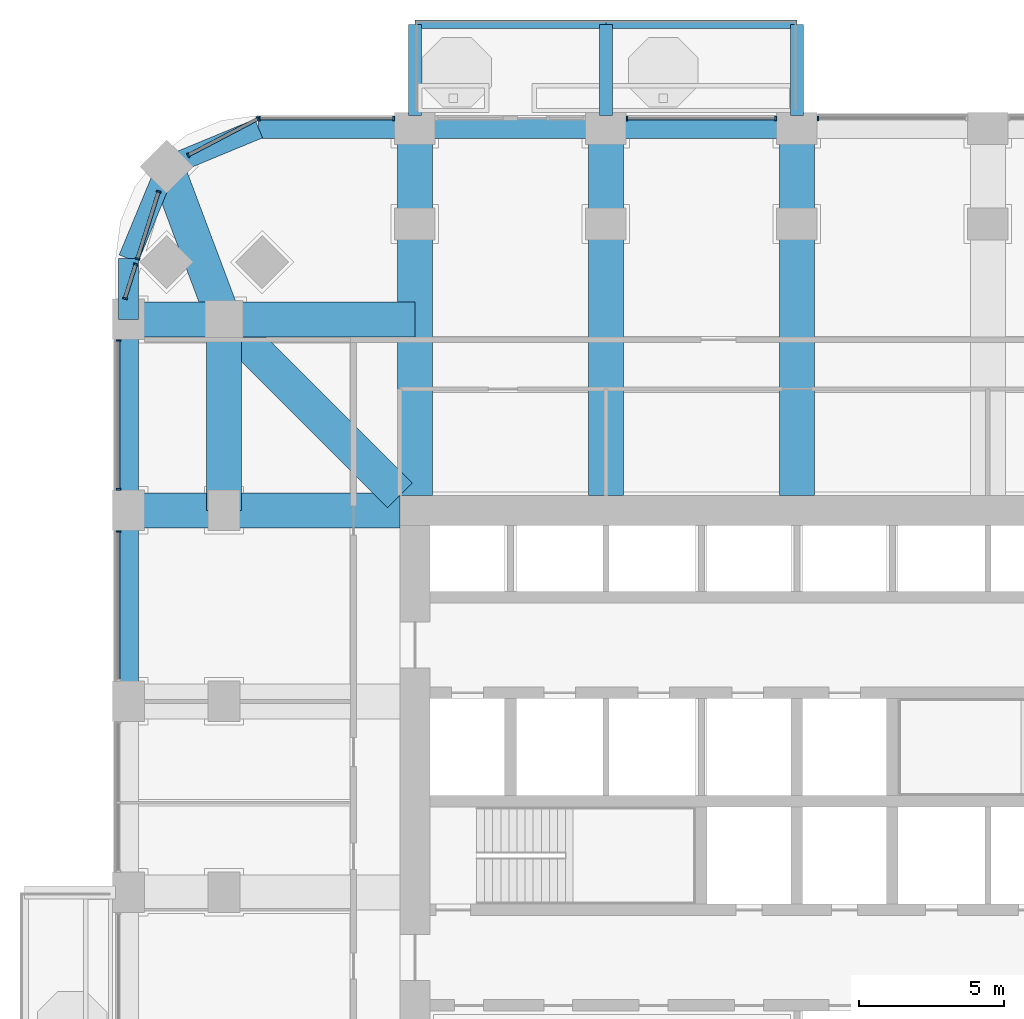
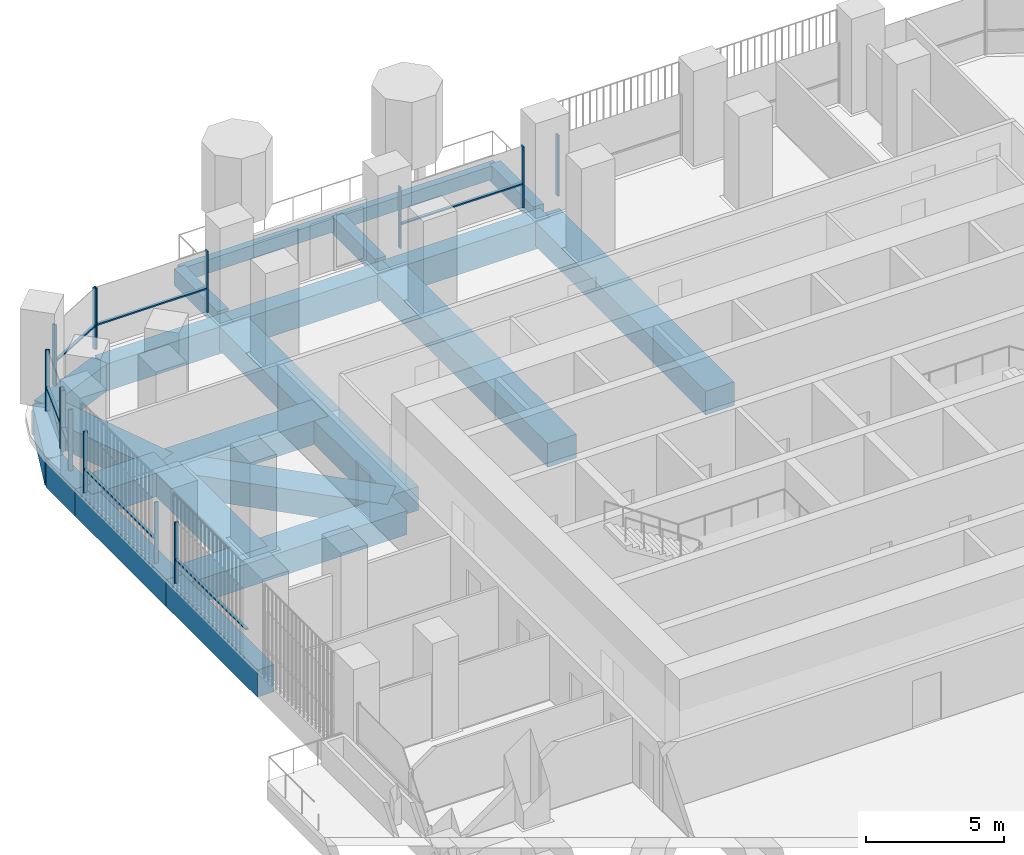
# One storey, part 6 of 21: 22 beams, 21 members, 8 elements without a shape of their own.
"""IFC4 building model written with IfcOpenShell, lengths in metres."""

from ifc_helpers import new_model, si_unit, direction, frame, origin, origin_2d, place, context, subcontext, project, spatial, rectangle, extrude, material, material_profile, profile_set, type_object, element, aggregate, save


model = new_model("IFC4")

# Units and contexts
model_context = context("Model", 3, precision=1e-05, world=origin(), true_north=direction((0.0, 1.0)))
body_context = subcontext(model_context, "Body", "Model", "MODEL_VIEW")
ifc_project = project(units=[si_unit("LENGTHUNIT", "METRE"), si_unit("AREAUNIT", "SQUARE_METRE"), si_unit("VOLUMEUNIT", "CUBIC_METRE"), si_unit("PLANEANGLEUNIT", "RADIAN"), si_unit("MASSUNIT", "GRAM", prefix="KILO")], contexts=[model_context])

# Site, building, storey
site_placement = place(None, origin())
site = spatial("IfcSite", under=ifc_project, at=site_placement, CompositionType="ELEMENT")
building_placement = place(site_placement, origin())
building = spatial("IfcBuilding", under=site, at=building_placement, Name="Cobogo Forest Laboratory Tower", CompositionType="ELEMENT")
storey_placement = place(building_placement, frame((0.0, 0.0, 124.199951171875)))
storey = spatial("IfcBuildingStorey", under=building, at=storey_placement, Name="L28", CompositionType="ELEMENT", Elevation=124.199951171875)

# Beams
ifc_material_1 = material(Name="Concrete HA-40 (C40/50)", Category="concrete")
ifc_material_profile_1 = material_profile(ifc_material_1, rectangle(XDim=0.449951171875, YDim=0.75, at=origin_2d()), Name="RC 450x750")
ifc_profile_set_1 = profile_set([ifc_material_profile_1], Name="Concrete HA-40 (C40/50)")
beam_type_1 = type_object("IfcBeamType", Name="Balcony cantilever beam 450x750", PredefinedType="BEAM", material=ifc_profile_set_1)
for number, where, z_axis, x_axis, name in (
    (1, (13.199951171875, 46.64990234375, -0.625), (0.0, 1.0, 0.0), (-1.0, 0.0, 0.0), "CB1 BAL-N1-C1 L28"),
    (2, (19.800048828125, 46.64990234375, -0.625), (0.0, 1.0, 0.0), (-1.0, 0.0, 0.0), "CB1 BAL-N1-C2 L28"),
    (3, (26.39990234375, 46.64990234375, -0.625), (0.0, 1.0, 0.0), (-1.0, 0.0, 0.0), "CB1 BAL-N1-C3 L28"),
):
    element("IfcBeam", number, at=place(storey_placement, frame(where, z_axis=z_axis, x_axis=x_axis)), inside=storey, type_object=beam_type_1, Name=name, PredefinedType="BEAM", context=body_context, shape_type="SweptSolid", body=[
        extrude(rectangle(XDim=0.449951171875, YDim=0.75, at=origin_2d()), origin(), (0.0, 0.0, 1.0), 3.150146484375),
    ])
ifc_material_profile_2 = material_profile(ifc_material_1, rectangle(XDim=0.300048828125, YDim=0.60009765625, at=origin_2d()), Name="RC 300x600")
ifc_profile_set_2 = profile_set([ifc_material_profile_2], Name="Concrete HA-40 (C40/50)")
beam_type_2 = type_object("IfcBeamType", Name="Balcony edge beam 300x600", PredefinedType="BEAM", material=ifc_profile_set_2)
beam_1_placement = place(storey_placement, frame((13.199951171875, 49.800048828125, -0.550048828125), z_axis=(1.0, 0.0, 0.0), x_axis=(0.0, 1.0, 0.0)))
element("IfcBeam", 4, at=beam_1_placement, inside=storey, type_object=beam_type_2, Name="BB1 BAL-N1-T1 L28", PredefinedType="BEAM", context=body_context, shape_type="SweptSolid", body=[
    extrude(rectangle(XDim=0.300048828125, YDim=0.60009765625, at=origin_2d()), origin(), (0.0, 0.0, 1.0), 6.60009765625),
])
beam_2_placement = place(storey_placement, frame((19.800048828125, 49.800048828125, -0.550048828125), z_axis=(1.0, 0.0, 0.0), x_axis=(0.0, 1.0, 0.0)))
element("IfcBeam", 5, at=beam_2_placement, inside=storey, type_object=beam_type_2, Name="BB1 BAL-N1-T2 L28", PredefinedType="BEAM", context=body_context, shape_type="SweptSolid", body=[
    extrude(rectangle(XDim=0.300048828125, YDim=0.60009765625, at=origin_2d()), origin(), (0.0, 0.0, 1.0), 6.599853515625),
])
ifc_material_profile_3 = material_profile(ifc_material_1, rectangle(XDim=1.199951171875, YDim=1.050048828125, at=origin_2d()), Name="RC 1200x1050")
ifc_profile_set_3 = profile_set([ifc_material_profile_3], Name="Concrete HA-40 (C40/50)")
beam_type_3 = type_object("IfcBeamType", Name="Laboratory floor wide beam 1200x1050", PredefinedType="BEAM", material=ifc_profile_set_3)
for number, where, z_axis, x_axis, name in (
    (6, (13.199951171875, 33.52490234375, -0.824951171875), (0.0, 1.0, 0.0), (-1.0, 0.0, 0.0), "RB1 R-3-N L28"),
    (7, (19.800048828125, 33.52490234375, -0.824951171875), (0.0, 1.0, 0.0), (-1.0, 0.0, 0.0), "RB1 R-4-N L28"),
    (8, (26.39990234375, 33.52490234375, -0.824951171875), (0.0, 1.0, 0.0), (-1.0, 0.0, 0.0), "RB1 R-5-N L28"),
):
    element("IfcBeam", number, at=place(storey_placement, frame(where, z_axis=z_axis, x_axis=x_axis)), inside=storey, type_object=beam_type_3, Name=name, PredefinedType="BEAM", context=body_context, shape_type="SweptSolid", body=[
        extrude(rectangle(XDim=1.199951171875, YDim=1.050048828125, at=origin_2d()), origin(), (0.0, 0.0, 1.0), 12.675048828125),
    ])
beam_3_placement = place(storey_placement, frame((12.675048828125, 33.0, -0.824951171875), z_axis=(-1.0, 0.0, 0.0), x_axis=(0.0, -1.0, 0.0)))
element("IfcBeam", 9, at=beam_3_placement, inside=storey, type_object=beam_type_3, Name="RB1 R-F-W L28", PredefinedType="BEAM", context=body_context, shape_type="SweptSolid", body=[
    extrude(rectangle(XDim=1.199951171875, YDim=1.050048828125, at=origin_2d()), origin(), (0.0, 0.0, 1.0), 9.375),
])
beam_4_placement = place(storey_placement, frame((6.60009765625, 39.60009765625, -0.824951171875), z_axis=(0.0, -1.0, 0.0), x_axis=(1.0, 0.0, 0.0)))
element("IfcBeam", 10, at=beam_4_placement, inside=storey, type_object=beam_type_3, Name="RB1 G-NW-XC L28", PredefinedType="BEAM", context=body_context, shape_type="SweptSolid", body=[
    extrude(rectangle(XDim=1.199951171875, YDim=1.050048828125, at=origin_2d()), origin(), (0.0, 0.0, 1.0), 6.60009765625),
])
beam_5_placement = place(storey_placement, frame((3.300048828125, 39.60009765625, -0.824951171875), z_axis=(1.0, 0.0, 0.0), x_axis=(0.0, 1.0, 0.0)))
element("IfcBeam", 11, at=beam_5_placement, inside=storey, type_object=beam_type_3, Name="RB1 G-NW-YF L28", PredefinedType="BEAM", context=body_context, shape_type="SweptSolid", body=[
    extrude(rectangle(XDim=1.199951171875, YDim=1.050048828125, at=origin_2d()), origin(), (0.0, 0.0, 1.0), 3.300048828125),
])
beam_6_placement = place(storey_placement, frame((6.60009765625, 39.60009765625, -0.824951171875), z_axis=(1.0, 0.0, 0.0), x_axis=(0.0, 1.0, 0.0)))
element("IfcBeam", 12, at=beam_6_placement, inside=storey, type_object=beam_type_3, Name="RB1 G-NW-YC L28", PredefinedType="BEAM", context=body_context, shape_type="SweptSolid", body=[
    extrude(rectangle(XDim=1.199951171875, YDim=1.050048828125, at=origin_2d()), origin(), (0.0, 0.0, 1.0), 6.599853515625),
])
beam_7_placement = place(storey_placement, frame((4.617919921875, 44.882080078125, -0.824951171875), z_axis=(0.351346325373, -0.936245565889, 0.0), x_axis=(0.936245565889, 0.351346325373, 0.0)))
element("IfcBeam", 13, at=beam_7_placement, inside=storey, type_object=beam_type_3, Name="RB1 G-NW-D1 L28", PredefinedType="BEAM", context=body_context, shape_type="SweptSolid", body=[
    extrude(rectangle(XDim=1.199951171875, YDim=1.050048828125, at=origin_2d()), origin(), (0.0, 0.0, 1.0), 5.6416015625),
])
beam_8_placement = place(storey_placement, frame((6.60009765625, 39.60009765625, -0.824951171875), z_axis=(0.707092572697, -0.70712098939, 0.0), x_axis=(0.70712098939, 0.707092572697, 0.0)))
element("IfcBeam", 14, at=beam_8_placement, inside=storey, type_object=beam_type_3, Name="RB1 G-NW-D2 L28", PredefinedType="BEAM", context=body_context, shape_type="SweptSolid", body=[
    extrude(rectangle(XDim=1.199951171875, YDim=1.050048828125, at=origin_2d()), origin(), (0.0, 0.0, 1.0), 8.591552734375),
])

# Curtain wall, member
ifc_material_2 = material(Name="Aluminium curtain wall", Category="aluminium")
curtain_wall_type = type_object("IfcCurtainWallType", Name="CW-1 unitised curtain wall, clear glazing, laboratory floors zones A and B", PredefinedType="USERDEFINED", material=ifc_material_2)
curtain_wall_1_placement = place(storey_placement, origin())
curtain_wall_1 = element("IfcCurtainWall", 15, at=curtain_wall_1_placement, inside=storey, type_object=curtain_wall_type, Name="Curtain wall 20 L28", ObjectType="UNITISED CURTAIN WALL", PredefinedType="USERDEFINED")
ifc_material_3 = material(Name="Aluminium mullion", Category="aluminium")
ifc_material_profile_4 = material_profile(ifc_material_3, rectangle(XDim=0.06005859375, YDim=0.159912109375, at=origin_2d()), Name="AL 60x160")
ifc_profile_set_4 = profile_set([ifc_material_profile_4], Name="Aluminium mullion")
member_type_1 = type_object("IfcMemberType", Name="MU-1 aluminium mullion 60x160", PredefinedType="MULLION", material=ifc_profile_set_4)
member_1_placement = place(storey_placement, frame((27.1298828125, 46.550048828125, 0.0), z_axis=(0.0, 0.0, 1.0), x_axis=(-1.0, 0.0, 0.0)))
member_1 = element("IfcMember", 16, at=member_1_placement, type_object=member_type_1, Name="CW-1 mullion 2", PredefinedType="MULLION", context=body_context, shape_type="SweptSolid", body=[
    extrude(rectangle(XDim=0.06005859375, YDim=0.159912109375, at=origin_2d()), origin(), (0.0, 0.0, 1.0), 2.699951171875),
])
aggregate(curtain_wall_1, [member_1])

# Curtain wall, members
curtain_wall_2_placement = place(storey_placement, origin())
curtain_wall_2 = element("IfcCurtainWall", 17, at=curtain_wall_2_placement, inside=storey, type_object=curtain_wall_type, Name="Curtain wall 21 L28", ObjectType="UNITISED CURTAIN WALL", PredefinedType="USERDEFINED")
member_2_placement = place(storey_placement, frame((25.669921875, 46.550048828125, 0.0), z_axis=(0.0, 0.0, 1.0), x_axis=(-1.0, 0.0, 0.0)))
member_2 = element("IfcMember", 18, at=member_2_placement, type_object=member_type_1, Name="CW-1 mullion 1", PredefinedType="MULLION", context=body_context, shape_type="SweptSolid", body=[
    extrude(rectangle(XDim=0.06005859375, YDim=0.159912109375, at=origin_2d()), origin(), (0.0, 0.0, 1.0), 2.699951171875),
])
member_3_placement = place(storey_placement, frame((20.530029296875, 46.550048828125, 0.0), z_axis=(0.0, 0.0, 1.0), x_axis=(-1.0, 0.0, 0.0)))
member_3 = element("IfcMember", 19, at=member_3_placement, type_object=member_type_1, Name="CW-1 mullion 2", PredefinedType="MULLION", context=body_context, shape_type="SweptSolid", body=[
    extrude(rectangle(XDim=0.06005859375, YDim=0.159912109375, at=origin_2d()), origin(), (0.0, 0.0, 1.0), 2.699951171875),
])

curtain_wall_3_placement = place(storey_placement, origin())
curtain_wall_3 = element("IfcCurtainWall", 20, at=curtain_wall_3_placement, inside=storey, type_object=curtain_wall_type, Name="Curtain wall 23 L28", ObjectType="UNITISED CURTAIN WALL", PredefinedType="USERDEFINED")
member_4_placement = place(storey_placement, frame((12.469970703125, 46.550048828125, 0.0), z_axis=(0.0, 0.0, 1.0), x_axis=(-1.0, 0.0, 0.0)))
member_4 = element("IfcMember", 21, at=member_4_placement, type_object=member_type_1, Name="CW-1 mullion 1", PredefinedType="MULLION", context=body_context, shape_type="SweptSolid", body=[
    extrude(rectangle(XDim=0.06005859375, YDim=0.159912109375, at=origin_2d()), origin(), (0.0, 0.0, 1.0), 2.699951171875),
])
member_5_placement = place(storey_placement, frame((7.830078125, 46.550048828125, 0.0), z_axis=(0.0, 0.0, 1.0), x_axis=(-1.0, 0.0, 0.0)))
member_5 = element("IfcMember", 22, at=member_5_placement, type_object=member_type_1, Name="CW-1 mullion 2", PredefinedType="MULLION", context=body_context, shape_type="SweptSolid", body=[
    extrude(rectangle(XDim=0.06005859375, YDim=0.159912109375, at=origin_2d()), origin(), (0.0, 0.0, 1.0), 2.699951171875),
])

curtain_wall_4_placement = place(storey_placement, origin())
curtain_wall_4 = element("IfcCurtainWall", 23, at=curtain_wall_4_placement, inside=storey, type_object=curtain_wall_type, Name="Curtain wall 24 L28", ObjectType="UNITISED CURTAIN WALL", PredefinedType="USERDEFINED")
member_6_placement = place(storey_placement, frame((7.7734375, 46.5361328125, 0.0), z_axis=(0.0, 0.0, 1.0), x_axis=(-0.885686547075, -0.464283685186, 0.0)))
member_6 = element("IfcMember", 24, at=member_6_placement, type_object=member_type_1, Name="CW-1 mullion 1", PredefinedType="MULLION", context=body_context, shape_type="SweptSolid", body=[
    extrude(rectangle(XDim=0.06005859375, YDim=0.159912109375, at=origin_2d()), origin(), (0.0, 0.0, 1.0), 2.699951171875),
])
member_7_placement = place(storey_placement, frame((5.368408203125, 45.275390625, 0.0), z_axis=(0.0, 0.0, 1.0), x_axis=(-0.885686547075, -0.464283685186, 0.0)))
member_7 = element("IfcMember", 25, at=member_7_placement, type_object=member_type_1, Name="CW-1 mullion 2", PredefinedType="MULLION", context=body_context, shape_type="SweptSolid", body=[
    extrude(rectangle(XDim=0.06005859375, YDim=0.159912109375, at=origin_2d()), origin(), (0.0, 0.0, 1.0), 2.699951171875),
])

curtain_wall_5_placement = place(storey_placement, origin())
curtain_wall_5 = element("IfcCurtainWall", 26, at=curtain_wall_5_placement, inside=storey, type_object=curtain_wall_type, Name="Curtain wall 25 L28", ObjectType="UNITISED CURTAIN WALL", PredefinedType="USERDEFINED")
member_8_placement = place(storey_placement, frame((4.34423828125, 44.01513671875, 0.0), z_axis=(0.0, 0.0, 1.0), x_axis=(-0.301135291996, -0.953581425949, 0.0)))
member_8 = element("IfcMember", 27, at=member_8_placement, type_object=member_type_1, Name="CW-1 mullion 1", PredefinedType="MULLION", context=body_context, shape_type="SweptSolid", body=[
    extrude(rectangle(XDim=0.06005859375, YDim=0.159912109375, at=origin_2d()), origin(), (0.0, 0.0, 1.0), 2.699951171875),
])
member_9_placement = place(storey_placement, frame((3.613037109375, 41.69970703125, 0.0), z_axis=(0.0, 0.0, 1.0), x_axis=(-0.301135291996, -0.953581425949, 0.0)))
member_9 = element("IfcMember", 28, at=member_9_placement, type_object=member_type_1, Name="CW-1 mullion 2", PredefinedType="MULLION", context=body_context, shape_type="SweptSolid", body=[
    extrude(rectangle(XDim=0.06005859375, YDim=0.159912109375, at=origin_2d()), origin(), (0.0, 0.0, 1.0), 2.699951171875),
])

curtain_wall_6_placement = place(storey_placement, origin())
curtain_wall_6 = element("IfcCurtainWall", 29, at=curtain_wall_6_placement, inside=storey, type_object=curtain_wall_type, Name="Curtain wall 26 L28", ObjectType="UNITISED CURTAIN WALL", PredefinedType="USERDEFINED")
member_10_placement = place(storey_placement, frame((3.55224609375, 41.507080078125, 0.0), z_axis=(0.0, 0.0, 1.0), x_axis=(-0.301135356805, -0.953581405483, 0.0)))
member_10 = element("IfcMember", 30, at=member_10_placement, type_object=member_type_1, Name="CW-1 mullion 1", PredefinedType="MULLION", context=body_context, shape_type="SweptSolid", body=[
    extrude(rectangle(XDim=0.06005859375, YDim=0.159912109375, at=origin_2d()), origin(), (0.0, 0.0, 1.0), 2.699951171875),
])
member_11_placement = place(storey_placement, frame((3.18017578125, 40.32861328125, 0.0), z_axis=(0.0, 0.0, 1.0), x_axis=(-0.301135356805, -0.953581405483, 0.0)))
member_11 = element("IfcMember", 31, at=member_11_placement, type_object=member_type_1, Name="CW-1 mullion 2", PredefinedType="MULLION", context=body_context, shape_type="SweptSolid", body=[
    extrude(rectangle(XDim=0.06005859375, YDim=0.159912109375, at=origin_2d()), origin(), (0.0, 0.0, 1.0), 2.699951171875),
])

curtain_wall_7_placement = place(storey_placement, origin())
curtain_wall_7 = element("IfcCurtainWall", 32, at=curtain_wall_7_placement, inside=storey, type_object=curtain_wall_type, Name="Curtain wall 27 L28", ObjectType="UNITISED CURTAIN WALL", PredefinedType="USERDEFINED")
member_12_placement = place(storey_placement, frame((2.949951171875, 38.8701171875, 0.0), z_axis=(0.0, 0.0, 1.0), x_axis=(0.0, -1.0, 0.0)))
member_12 = element("IfcMember", 33, at=member_12_placement, type_object=member_type_1, Name="CW-1 mullion 1", PredefinedType="MULLION", context=body_context, shape_type="SweptSolid", body=[
    extrude(rectangle(XDim=0.06005859375, YDim=0.159912109375, at=origin_2d()), origin(), (0.0, 0.0, 1.0), 2.699951171875),
])
member_13_placement = place(storey_placement, frame((2.949951171875, 33.72998046875, 0.0), z_axis=(0.0, 0.0, 1.0), x_axis=(0.0, -1.0, 0.0)))
member_13 = element("IfcMember", 34, at=member_13_placement, type_object=member_type_1, Name="CW-1 mullion 2", PredefinedType="MULLION", context=body_context, shape_type="SweptSolid", body=[
    extrude(rectangle(XDim=0.06005859375, YDim=0.159912109375, at=origin_2d()), origin(), (0.0, 0.0, 1.0), 2.699951171875),
])

# Curtain wall, member
curtain_wall_8_placement = place(storey_placement, origin())
curtain_wall_8 = element("IfcCurtainWall", 35, at=curtain_wall_8_placement, inside=storey, type_object=curtain_wall_type, Name="Curtain wall 28 L28", ObjectType="UNITISED CURTAIN WALL", PredefinedType="USERDEFINED")
member_14_placement = place(storey_placement, frame((2.949951171875, 32.27001953125, 0.0), z_axis=(0.0, 0.0, 1.0), x_axis=(0.0, -1.0, 0.0)))
member_14 = element("IfcMember", 36, at=member_14_placement, type_object=member_type_1, Name="CW-1 mullion 1", PredefinedType="MULLION", context=body_context, shape_type="SweptSolid", body=[
    extrude(rectangle(XDim=0.06005859375, YDim=0.159912109375, at=origin_2d()), origin(), (0.0, 0.0, 1.0), 2.699951171875),
])

# Beams
ifc_material_profile_5 = material_profile(ifc_material_1, rectangle(XDim=0.699951171875, YDim=1.199951171875, at=origin_2d()), Name="RC 700x1200")
ifc_profile_set_5 = profile_set([ifc_material_profile_5], Name="Concrete HA-40 (C40/50)")
beam_type_4 = type_object("IfcBeamType", Name="Perimeter edge beam 700x1200", PredefinedType="BEAM", material=ifc_profile_set_5)
beam_9_placement = place(storey_placement, frame((13.199951171875, 46.199951171875, -0.89990234375), z_axis=(1.0, 0.0, 0.0), x_axis=(0.0, 1.0, 0.0)))
element("IfcBeam", 37, at=beam_9_placement, inside=storey, type_object=beam_type_4, Name="EB1 E-N1 L28", PredefinedType="BEAM", context=body_context, shape_type="SweptSolid", body=[
    extrude(rectangle(XDim=0.699951171875, YDim=1.199951171875, at=origin_2d()), origin(), (0.0, 0.0, 1.0), 6.60009765625),
])
beam_10_placement = place(storey_placement, frame((19.800048828125, 46.199951171875, -0.89990234375), z_axis=(1.0, 0.0, 0.0), x_axis=(0.0, 1.0, 0.0)))
element("IfcBeam", 38, at=beam_10_placement, inside=storey, type_object=beam_type_4, Name="EB1 E-N2 L28", PredefinedType="BEAM", context=body_context, shape_type="SweptSolid", body=[
    extrude(rectangle(XDim=0.699951171875, YDim=1.199951171875, at=origin_2d()), origin(), (0.0, 0.0, 1.0), 6.599853515625),
])
for number, where, z_axis, x_axis, name in (
    (39, (3.300048828125, 26.39990234375, -0.89990234375), (0.0, 1.0, 0.0), (-1.0, 0.0, 0.0), "EB1 E-W4 L28"),
    (40, (3.300048828125, 33.0, -0.89990234375), (0.0, 1.0, 0.0), (-1.0, 0.0, 0.0), "EB1 E-W5 L28"),
):
    element("IfcBeam", number, at=place(storey_placement, frame(where, z_axis=z_axis, x_axis=x_axis)), inside=storey, type_object=beam_type_4, Name=name, PredefinedType="BEAM", context=body_context, shape_type="SweptSolid", body=[
        extrude(rectangle(XDim=0.699951171875, YDim=1.199951171875, at=origin_2d()), origin(), (0.0, 0.0, 1.0), 6.60009765625),
    ])
beam_11_placement = place(storey_placement, frame((13.199951171875, 46.199951171875, -0.89990234375), z_axis=(-1.0, 0.0, 0.0), x_axis=(0.0, -1.0, 0.0)))
element("IfcBeam", 41, at=beam_11_placement, inside=storey, type_object=beam_type_4, Name="EB1 E-NWN1 L28", PredefinedType="BEAM", context=body_context, shape_type="SweptSolid", body=[
    extrude(rectangle(XDim=0.699951171875, YDim=1.199951171875, at=origin_2d()), origin(), (0.0, 0.0, 1.0), 5.39990234375),
])
beam_12_placement = place(storey_placement, frame((7.800048828125, 46.199951171875, -0.89990234375), z_axis=(-0.923901072997, -0.382631424892, 0.0), x_axis=(0.382631424892, -0.923901072997, 0.0)))
element("IfcBeam", 42, at=beam_12_placement, inside=storey, type_object=beam_type_4, Name="EB1 E-NWN2 L28", PredefinedType="BEAM", context=body_context, shape_type="SweptSolid", body=[
    extrude(rectangle(XDim=0.699951171875, YDim=1.199951171875, at=origin_2d()), origin(), (0.0, 0.0, 1.0), 3.4443359375),
])
beam_13_placement = place(storey_placement, frame((3.300048828125, 39.60009765625, -0.89990234375), z_axis=(0.0, 1.0, 0.0), x_axis=(-1.0, 0.0, 0.0)))
element("IfcBeam", 43, at=beam_13_placement, inside=storey, type_object=beam_type_4, Name="EB1 E-NWW1 L28", PredefinedType="BEAM", context=body_context, shape_type="SweptSolid", body=[
    extrude(rectangle(XDim=0.699951171875, YDim=1.199951171875, at=origin_2d()), origin(), (0.0, 0.0, 1.0), 2.099853515625),
])
beam_14_placement = place(storey_placement, frame((3.300048828125, 41.699951171875, -0.89990234375), z_axis=(0.382631424892, 0.923901072997, 0.0), x_axis=(-0.923901072997, 0.382631424892, 0.0)))
element("IfcBeam", 44, at=beam_14_placement, inside=storey, type_object=beam_type_4, Name="EB1 E-NWW2 L28", PredefinedType="BEAM", context=body_context, shape_type="SweptSolid", body=[
    extrude(rectangle(XDim=0.699951171875, YDim=1.199951171875, at=origin_2d()), origin(), (0.0, 0.0, 1.0), 3.4443359375),
])

# Member
ifc_material_4 = material(Name="Aluminium transom", Category="aluminium")
ifc_material_profile_6 = material_profile(ifc_material_4, rectangle(XDim=0.1201171875, YDim=0.06005859375, at=origin_2d()), Name="AL 60x120")
ifc_profile_set_6 = profile_set([ifc_material_profile_6], Name="Aluminium transom")
member_type_2 = type_object("IfcMemberType", Name="TR-1 aluminium transom 60x120", PredefinedType="USERDEFINED", material=ifc_profile_set_6)
member_15_placement = place(storey_placement, frame((25.639892578125, 46.550048828125, 1.050048828125), z_axis=(-1.0, 0.0, 0.0), x_axis=(0.0, -1.0, 0.0)))
member_15 = element("IfcMember", 45, at=member_15_placement, type_object=member_type_2, Name="CW-1 transom 1.1", ObjectType="TRANSOM", PredefinedType="USERDEFINED", context=body_context, shape_type="SweptSolid", body=[
    extrude(rectangle(XDim=0.1201171875, YDim=0.06005859375, at=origin_2d()), origin(), (0.0, 0.0, 1.0), 5.079833984375),
])

aggregate(curtain_wall_2, [member_2, member_3, member_15])

member_16_placement = place(storey_placement, frame((12.43994140625, 46.550048828125, 1.050048828125), z_axis=(-1.0, 0.0, 0.0), x_axis=(0.0, -1.0, 0.0)))
member_16 = element("IfcMember", 46, at=member_16_placement, type_object=member_type_2, Name="CW-1 transom 1.1", ObjectType="TRANSOM", PredefinedType="USERDEFINED", context=body_context, shape_type="SweptSolid", body=[
    extrude(rectangle(XDim=0.1201171875, YDim=0.06005859375, at=origin_2d()), origin(), (0.0, 0.0, 1.0), 4.579833984375),
])

aggregate(curtain_wall_3, [member_4, member_5, member_16])

member_17_placement = place(storey_placement, frame((7.746826171875, 46.522216796875, 1.050048828125), z_axis=(-0.885694740493, -0.464268054753, 0.0), x_axis=(0.464268054753, -0.885694740493, 0.0)))
member_17 = element("IfcMember", 47, at=member_17_placement, type_object=member_type_2, Name="CW-1 transom 1.1", ObjectType="TRANSOM", PredefinedType="USERDEFINED", context=body_context, shape_type="SweptSolid", body=[
    extrude(rectangle(XDim=0.1201171875, YDim=0.06005859375, at=origin_2d()), origin(), (0.0, 0.0, 1.0), 2.655517578125),
])

aggregate(curtain_wall_4, [member_6, member_7, member_17])

member_18_placement = place(storey_placement, frame((4.335205078125, 43.986328125, 1.050048828125), z_axis=(-0.301156039198, -0.953574873859, 0.0), x_axis=(0.953574873859, -0.301156039198, 0.0)))
member_18 = element("IfcMember", 48, at=member_18_placement, type_object=member_type_2, Name="CW-1 transom 1.1", ObjectType="TRANSOM", PredefinedType="USERDEFINED", context=body_context, shape_type="SweptSolid", body=[
    extrude(rectangle(XDim=0.1201171875, YDim=0.06005859375, at=origin_2d()), origin(), (0.0, 0.0, 1.0), 2.367919921875),
])

aggregate(curtain_wall_5, [member_8, member_9, member_18])

member_19_placement = place(storey_placement, frame((3.543212890625, 41.478515625, 1.050048828125), z_axis=(-0.301051874343, -0.953607764731, 0.0), x_axis=(0.953607764731, -0.301051874343, 0.0)))
member_19 = element("IfcMember", 49, at=member_19_placement, type_object=member_type_2, Name="CW-1 transom 1.1", ObjectType="TRANSOM", PredefinedType="USERDEFINED", context=body_context, shape_type="SweptSolid", body=[
    extrude(rectangle(XDim=0.1201171875, YDim=0.06005859375, at=origin_2d()), origin(), (0.0, 0.0, 1.0), 1.17578125),
])

aggregate(curtain_wall_6, [member_10, member_11, member_19])

member_20_placement = place(storey_placement, frame((2.949951171875, 38.840087890625, 1.050048828125), z_axis=(0.0, -1.0, 0.0), x_axis=(1.0, 0.0, 0.0)))
member_20 = element("IfcMember", 50, at=member_20_placement, type_object=member_type_2, Name="CW-1 transom 1.1", ObjectType="TRANSOM", PredefinedType="USERDEFINED", context=body_context, shape_type="SweptSolid", body=[
    extrude(rectangle(XDim=0.1201171875, YDim=0.06005859375, at=origin_2d()), origin(), (0.0, 0.0, 1.0), 5.080078125),
])

aggregate(curtain_wall_7, [member_12, member_13, member_20])

member_21_placement = place(storey_placement, frame((2.949951171875, 32.239990234375, 1.050048828125), z_axis=(0.0, -1.0, 0.0), x_axis=(1.0, 0.0, 0.0)))
member_21 = element("IfcMember", 51, at=member_21_placement, type_object=member_type_2, Name="CW-1 transom 1.1", ObjectType="TRANSOM", PredefinedType="USERDEFINED", context=body_context, shape_type="SweptSolid", body=[
    extrude(rectangle(XDim=0.1201171875, YDim=0.06005859375, at=origin_2d()), origin(), (0.0, 0.0, 1.0), 5.080078125),
])

aggregate(curtain_wall_8, [member_14, member_21])

save(model, "model.ifc")
